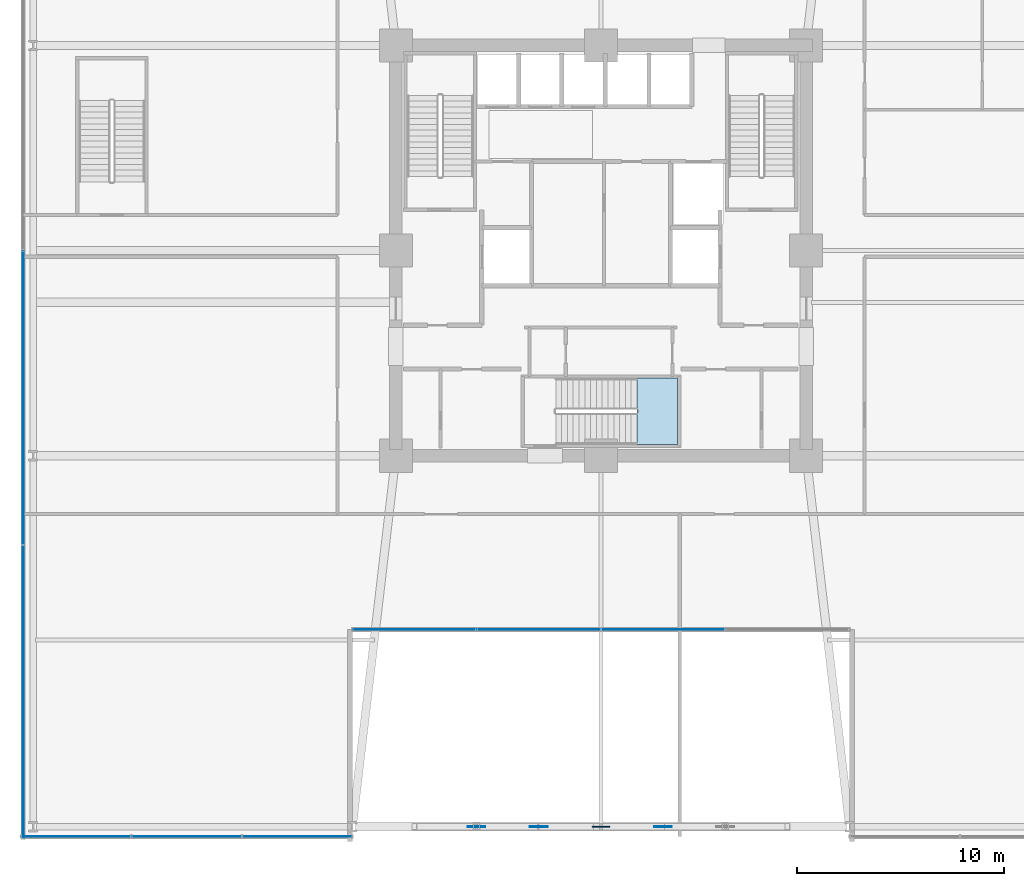
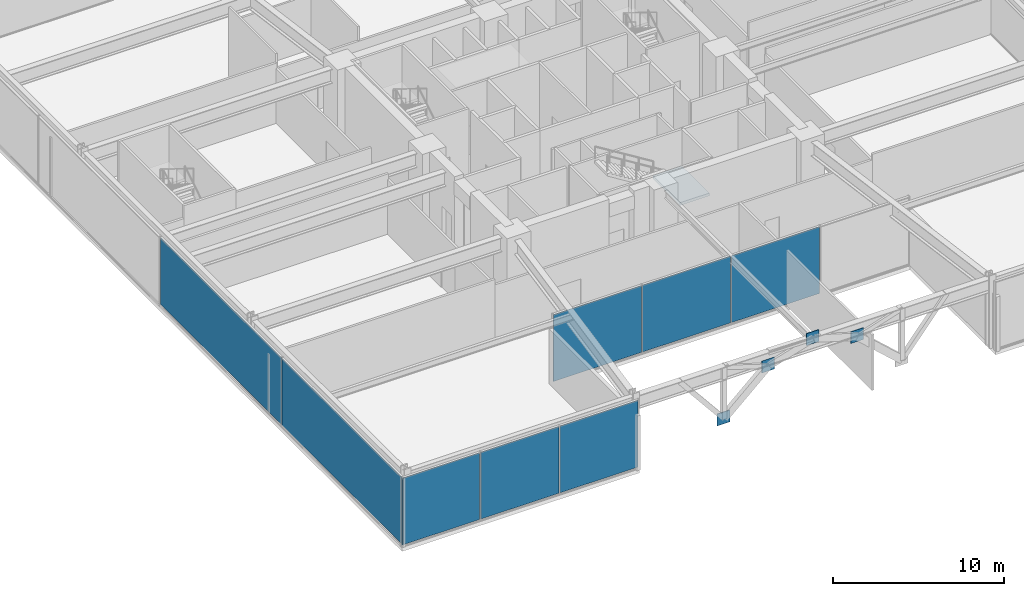
# One storey, part 39 of 49: 12 plates, 1 slab, 4 elements without a shape of their own.
"""IFC4 building model written with IfcOpenShell, lengths in metres."""

from ifc_helpers import new_model, si_unit, direction, frame, origin, origin_2d, place, context, subcontext, project, spatial, polyline, rectangle, outline, extrude, material, layer, layer_set, type_object, element, aggregate, save


model = new_model("IFC4")

# Units and contexts
model_context = context("Model", 3, precision=1e-05, world=origin(), true_north=direction((0.0, 1.0)))
body_context = subcontext(model_context, "Body", "Model", "MODEL_VIEW")
ifc_project = project(units=[si_unit("LENGTHUNIT", "METRE"), si_unit("AREAUNIT", "SQUARE_METRE"), si_unit("VOLUMEUNIT", "CUBIC_METRE"), si_unit("PLANEANGLEUNIT", "RADIAN"), si_unit("MASSUNIT", "GRAM", prefix="KILO")], contexts=[model_context])

# Site, building, storey
site_placement = place(None, origin())
site = spatial("IfcSite", under=ifc_project, at=site_placement, CompositionType="ELEMENT")
building_placement = place(site_placement, origin())
building = spatial("IfcBuilding", under=site, at=building_placement, Name="Kolvaren Belvedere", CompositionType="ELEMENT")
storey_placement = place(building_placement, frame((0.0, 0.0, 10.0)))
storey = spatial("IfcBuildingStorey", under=building, at=storey_placement, Name="L03", CompositionType="ELEMENT", Elevation=10.0)

# Curtain wall, plates
ifc_material_1 = material(Name="Anodised pale-metal aluminium AA 6063-T6", Category="aluminium")
curtain_wall_type = type_object("IfcCurtainWallType", Name="CW-POD-A", PredefinedType="NOTDEFINED", material=ifc_material_1)
curtain_wall_1_placement = place(storey_placement, origin())
curtain_wall_1 = element("IfcCurtainWall", 1, at=curtain_wall_1_placement, inside=storey, type_object=curtain_wall_type, Name="L03 Unitised Curtain Wall FCW-L03-SEG1", PredefinedType="NOTDEFINED")
ifc_material_2 = material(Name="Low-iron laminated vision glass", Category="glass")
ifc_layer_1 = layer(ifc_material_2, 0.031982421875)
ifc_layer_set_1 = layer_set([ifc_layer_1], Name="Low-iron laminated vision glass")
plate_type_1 = type_object("IfcPlateType", Name="CW-PNL-VIS32", PredefinedType="CURTAIN_PANEL", material=ifc_layer_set_1)
plate_1_placement = place(storey_placement, frame((-14.666748046875, -28.280029296875, 0.080078125), z_axis=(0.0, 0.0, 1.0), x_axis=(-1.0, 0.0, 0.0)))
plate_1 = element("IfcPlate", 2, at=plate_1_placement, type_object=plate_type_1, Name="FCW-L03-SEG1 Vision Glazing Panel 1", PredefinedType="CURTAIN_PANEL", context=body_context, shape_type="SweptSolid", body=[
    extrude(rectangle(XDim=5.25341796875, YDim=0.031982421875, at=origin_2d()), origin(), (0.0, 0.0, 1.0), 4.760009765625),
])
plate_2_placement = place(storey_placement, frame((-20.0, -28.280029296875, 0.080078125), z_axis=(0.0, 0.0, 1.0), x_axis=(-1.0, 0.0, 0.0)))
plate_2 = element("IfcPlate", 3, at=plate_2_placement, type_object=plate_type_1, Name="FCW-L03-SEG1 Vision Glazing Panel 2", PredefinedType="CURTAIN_PANEL", context=body_context, shape_type="SweptSolid", body=[
    extrude(rectangle(XDim=5.25341796875, YDim=0.031982421875, at=origin_2d()), origin(), (0.0, 0.0, 1.0), 4.760009765625),
])
plate_3_placement = place(storey_placement, frame((-25.333251953125, -28.280029296875, 0.080078125), z_axis=(0.0, 0.0, 1.0), x_axis=(-1.0, 0.0, 0.0)))
plate_3 = element("IfcPlate", 4, at=plate_3_placement, type_object=plate_type_1, Name="FCW-L03-SEG1 Vision Glazing Panel 3", PredefinedType="CURTAIN_PANEL", context=body_context, shape_type="SweptSolid", body=[
    extrude(rectangle(XDim=5.25341796875, YDim=0.031982421875, at=origin_2d()), origin(), (0.0, 0.0, 1.0), 4.760009765625),
])
aggregate(curtain_wall_1, [plate_1, plate_2, plate_3])

curtain_wall_2_placement = place(storey_placement, origin())
curtain_wall_2 = element("IfcCurtainWall", 5, at=curtain_wall_2_placement, inside=storey, type_object=curtain_wall_type, Name="L03 Unitised Curtain Wall FCW-L03-SEG3", PredefinedType="NOTDEFINED")
plate_4_placement = place(storey_placement, frame((3.0, -18.280029296875, 0.080078125), z_axis=(0.0, 0.0, 1.0), x_axis=(-1.0, 0.0, 0.0)))
plate_4 = element("IfcPlate", 6, at=plate_4_placement, type_object=plate_type_1, Name="FCW-L03-SEG3 Vision Glazing Panel 2", PredefinedType="CURTAIN_PANEL", context=body_context, shape_type="SweptSolid", body=[
    extrude(rectangle(XDim=5.919921875, YDim=0.031982421875, at=origin_2d()), origin(), (0.0, 0.0, 1.0), 4.760009765625),
])
plate_5_placement = place(storey_placement, frame((-3.0, -18.280029296875, 0.080078125), z_axis=(0.0, 0.0, 1.0), x_axis=(-1.0, 0.0, 0.0)))
plate_5 = element("IfcPlate", 7, at=plate_5_placement, type_object=plate_type_1, Name="FCW-L03-SEG3 Vision Glazing Panel 3", PredefinedType="CURTAIN_PANEL", context=body_context, shape_type="SweptSolid", body=[
    extrude(rectangle(XDim=5.919921875, YDim=0.031982421875, at=origin_2d()), origin(), (0.0, 0.0, 1.0), 4.760009765625),
])
plate_6_placement = place(storey_placement, frame((-9.0, -18.280029296875, 0.080078125), z_axis=(0.0, 0.0, 1.0), x_axis=(-1.0, 0.0, 0.0)))
plate_6 = element("IfcPlate", 8, at=plate_6_placement, type_object=plate_type_1, Name="FCW-L03-SEG3 Vision Glazing Panel 4", PredefinedType="CURTAIN_PANEL", context=body_context, shape_type="SweptSolid", body=[
    extrude(rectangle(XDim=5.919921875, YDim=0.031982421875, at=origin_2d()), origin(), (0.0, 0.0, 1.0), 4.760009765625),
])
aggregate(curtain_wall_2, [plate_4, plate_5, plate_6])

curtain_wall_3_placement = place(storey_placement, origin())
curtain_wall_3 = element("IfcCurtainWall", 9, at=curtain_wall_3_placement, inside=storey, type_object=curtain_wall_type, Name="L03 Unitised Curtain Wall FCW-L03-SEG8", PredefinedType="NOTDEFINED")
plate_7_placement = place(storey_placement, frame((-27.8798828125, -21.300048828125, 0.080078125), z_axis=(0.0, 0.0, 1.0), x_axis=(0.0, 1.0, 0.0)))
plate_7 = element("IfcPlate", 10, at=plate_7_placement, type_object=plate_type_1, Name="FCW-L03-SEG8 Vision Glazing Panel 1", PredefinedType="CURTAIN_PANEL", context=body_context, shape_type="SweptSolid", body=[
    extrude(rectangle(XDim=14.1201171875, YDim=0.031982421875, at=origin_2d()), origin(), (0.0, 0.0, 1.0), 4.760009765625),
])
plate_8_placement = place(storey_placement, frame((-27.8798828125, -7.10009765625, 0.080078125), z_axis=(0.0, 0.0, 1.0), x_axis=(0.0, 1.0, 0.0)))
plate_8 = element("IfcPlate", 11, at=plate_8_placement, type_object=plate_type_1, Name="FCW-L03-SEG8 Vision Glazing Panel 2", PredefinedType="CURTAIN_PANEL", context=body_context, shape_type="SweptSolid", body=[
    extrude(rectangle(XDim=14.1201171875, YDim=0.031982421875, at=origin_2d()), origin(), (0.0, 0.0, 1.0), 4.760009765625),
])
aggregate(curtain_wall_3, [plate_7, plate_8])

# Plates
ifc_material_3 = material(Name="Structural steel ASTM A572 Grade 50", Category="steel")
ifc_layer_2 = layer(ifc_material_3, 0.0400390625)
ifc_layer_set_2 = layer_set([ifc_layer_2], Name="Structural steel ASTM A572 Grade 50")
plate_type_2 = type_object("IfcPlateType", Name="PL-GUSSET-40", PredefinedType="USERDEFINED", material=ifc_layer_set_2)
for number, where, z_axis, x_axis, name in (
    (12, (-6.0, -27.800048828125, 0.75), (0.0, 0.0, 1.0), (1.0, 0.0, 0.0), "Portal Arch Gusset Plate AN-3"),
    (13, (-3.0, -27.800048828125, 3.46875), (0.0, 0.0, 1.0), (1.0, 0.0, 0.0), "Portal Arch Gusset Plate AN-4"),
    (14, (3.0, -27.800048828125, 3.46875), (0.0, 0.0, 1.0), (1.0, 0.0, 0.0), "Portal Arch Gusset Plate AN-6"),
):
    element("IfcPlate", number, at=place(storey_placement, frame(where, z_axis=z_axis, x_axis=x_axis)), inside=storey, type_object=plate_type_2, Name=name, ObjectType="GUSSET PLATE", PredefinedType="USERDEFINED", context=body_context, shape_type="SweptSolid", body=[
        extrude(rectangle(XDim=0.85009765625, YDim=0.0400390625, at=origin_2d()), origin(), (0.0, 0.0, 1.0), 0.85009765625),
    ])
ifc_material_4 = material(Name="Structural steel ASTM A572 Grade 50", Category="steel")
ifc_layer_3 = layer(ifc_material_4, 0.050048828125)
ifc_layer_set_3 = layer_set([ifc_layer_3], Name="Structural steel ASTM A572 Grade 50")
plate_type_3 = type_object("IfcPlateType", Name="PL-GUSSET-50", PredefinedType="USERDEFINED", material=ifc_layer_set_3)
plate_9_placement = place(storey_placement, frame((0.0, -27.800048828125, 4.375), z_axis=(0.0, 0.0, 1.0), x_axis=(1.0, 0.0, 0.0)))
element("IfcPlate", 15, at=plate_9_placement, inside=storey, type_object=plate_type_3, Name="Portal Arch Gusset Plate AN-5", ObjectType="GUSSET PLATE", PredefinedType="USERDEFINED", context=body_context, shape_type="SweptSolid", body=[
    extrude(rectangle(XDim=0.85009765625, YDim=0.050048828125, at=origin_2d()), origin(), (0.0, 0.0, 1.0), 0.85009765625),
])

# Stair, slab
ifc_material_5 = material(Name="Concrete C50/60", Category="concrete")
stair_type = type_object("IfcStairType", Name="ST-CORE-1520", PredefinedType="HALF_TURN_STAIR", material=ifc_material_5)
stair_placement = place(storey_placement, origin())
stair = element("IfcStair", 16, at=stair_placement, inside=storey, type_object=stair_type, Name="L03 Protected Exit Stair ST-3", PredefinedType="HALF_TURN_STAIR")
ifc_material_6 = material(Name="Concrete C50/60", Category="concrete")
ifc_layer_4 = layer(ifc_material_6, 0.260009765625)
ifc_layer_set_4 = layer_set([ifc_layer_4], Name="Concrete C50/60")
slab_type = type_object("IfcSlabType", Name="SL-LAND-260", PredefinedType="LANDING", material=ifc_layer_set_4)
slab_placement = place(storey_placement, frame((0.0, 0.0, 2.39990234375)))
slab = element("IfcSlab", 17, at=slab_placement, type_object=slab_type, Name="ST-3 landing 1", PredefinedType="LANDING", context=body_context, shape_type="SweptSolid", body=[
    extrude(outline(polyline([(1.739990234375, -9.35009765625), (3.699951171875, -9.35009765625), (3.699951171875, -6.159912109375), (1.739990234375, -6.159912109375), (1.739990234375, -9.35009765625)])), origin(), (0.0, 0.0, 1.0), 0.2001953125),
])
aggregate(stair, [slab])

save(model, "model.ifc")
